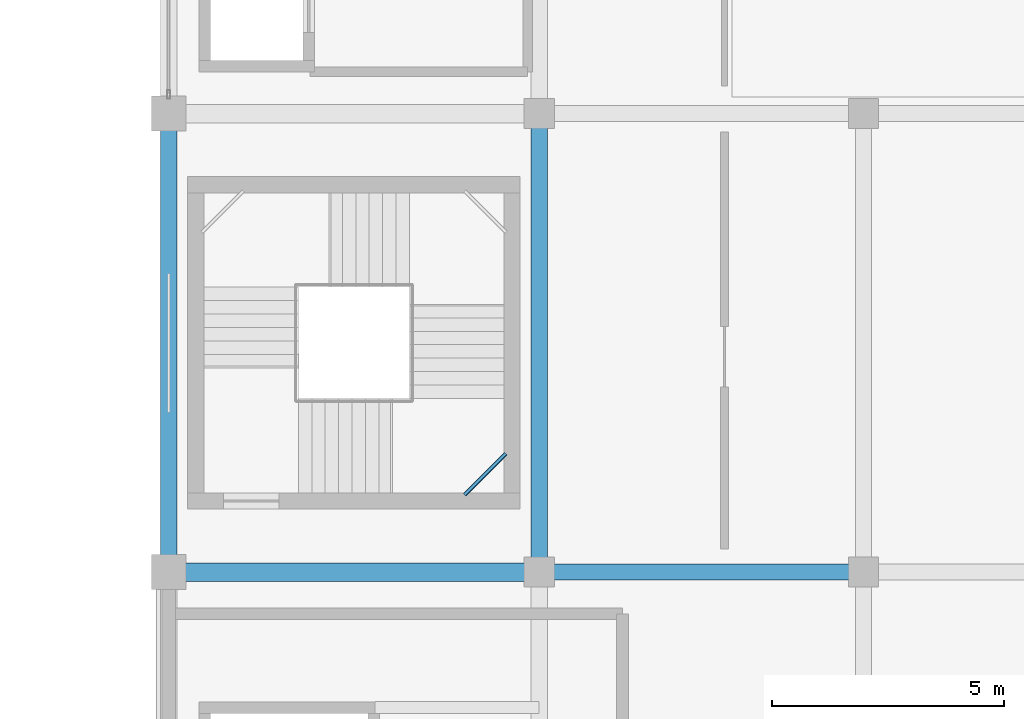
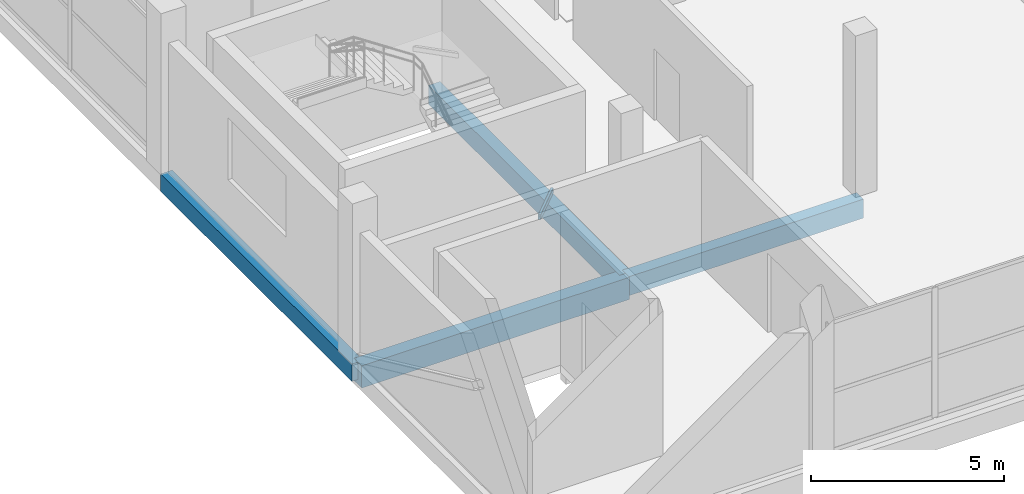
# One storey, part 3 of 67: 5 beams.
"""IFC4 building model written with IfcOpenShell, lengths in metres."""

from ifc_helpers import new_model, si_unit, direction, frame, origin, origin_2d, place, context, subcontext, project, spatial, rectangle, hollow_rectangle, extrude, material, material_profile, profile_set, type_object, element, save


model = new_model("IFC4")

# Units and contexts
model_context = context("Model", 3, precision=1e-05, world=origin(), true_north=direction((0.0, 1.0)))
body_context = subcontext(model_context, "Body", "Model", "MODEL_VIEW")
ifc_project = project(units=[si_unit("LENGTHUNIT", "METRE"), si_unit("AREAUNIT", "SQUARE_METRE"), si_unit("VOLUMEUNIT", "CUBIC_METRE"), si_unit("PLANEANGLEUNIT", "RADIAN"), si_unit("MASSUNIT", "GRAM", prefix="KILO")], contexts=[model_context])

# Site, building, storey
site_placement = place(None, origin())
site = spatial("IfcSite", under=ifc_project, at=site_placement, CompositionType="ELEMENT")
building_placement = place(site_placement, origin())
building = spatial("IfcBuilding", under=site, at=building_placement, Name="Sillaruma Civic Art Gallery", CompositionType="ELEMENT")
storey_placement = place(building_placement, frame((0.0, 0.0, 46.919921875)))
storey = spatial("IfcBuildingStorey", under=building, at=storey_placement, Name="L09", CompositionType="ELEMENT", Elevation=46.919921875)

# Beams
ifc_material_1 = material(Name="Concrete H35 (35 MPa)", Category="concrete")
ifc_material_profile_1 = material_profile(ifc_material_1, rectangle(XDim=0.35009765625, YDim=0.60009765625, at=origin_2d()), Name="RCB350x600")
ifc_profile_set_1 = profile_set([ifc_material_profile_1], Name="Concrete H35 (35 MPa)")
beam_type_1 = type_object("IfcBeamType", Name="BM-BEAM-RCB350x600", PredefinedType="BEAM", material=ifc_profile_set_1)
beam_1_placement = place(storey_placement, frame((70.0, 29.699951171875, -0.5498046875), z_axis=(1.0, 0.0, 0.0), x_axis=(0.0, 1.0, 0.0)))
element("IfcBeam", 1, at=beam_1_placement, inside=storey, type_object=beam_type_1, Name="Beam BM-06 (L08:4:G-H)", PredefinedType="BEAM", context=body_context, shape_type="SweptSolid", body=[
    extrude(rectangle(XDim=0.35009765625, YDim=0.60009765625, at=origin_2d()), origin(), (0.0, 0.0, 1.0), 7.0),
])
beam_2_placement = place(storey_placement, frame((70.0, 29.699951171875, -0.5498046875), z_axis=(0.0, 1.0, 0.0), x_axis=(-1.0, 0.0, 0.0)))
element("IfcBeam", 2, at=beam_2_placement, inside=storey, type_object=beam_type_1, Name="Beam BM-06 (L08:G:4-5)", PredefinedType="BEAM", context=body_context, shape_type="SweptSolid", body=[
    extrude(rectangle(XDim=0.35009765625, YDim=0.60009765625, at=origin_2d()), origin(), (0.0, 0.0, 1.0), 9.900146484375),
])
ifc_material_profile_2 = material_profile(ifc_material_1, rectangle(XDim=0.39990234375, YDim=0.699951171875, at=origin_2d()), Name="RCB400x700")
ifc_profile_set_2 = profile_set([ifc_material_profile_2], Name="Concrete H35 (35 MPa)")
beam_type_2 = type_object("IfcBeamType", Name="BM-BEAM-RCB400x700", PredefinedType="BEAM", material=ifc_profile_set_2)
beam_3_placement = place(storey_placement, frame((62.0, 29.699951171875, -0.599853515625), z_axis=(1.0, 0.0, 0.0), x_axis=(0.0, 1.0, 0.0)))
element("IfcBeam", 3, at=beam_3_placement, inside=storey, type_object=beam_type_2, Name="Beam BM-04 (L08:4:F-G)", PredefinedType="BEAM", context=body_context, shape_type="SweptSolid", body=[
    extrude(rectangle(XDim=0.39990234375, YDim=0.699951171875, at=origin_2d()), origin(), (0.0, 0.0, 1.0), 8.0),
])
ifc_material_2 = material(Name="Structural Steel ASTM A500 Gr.C", Category="steel")
ifc_material_profile_3 = material_profile(ifc_material_2, hollow_rectangle(XDim=0.080078125, YDim=0.159912109375, WallThickness=0.008056640625, InnerFilletRadius=0.008056640625, OuterFilletRadius=0.01611328125, at=origin_2d()), Name="HSS160x80x8")
ifc_profile_set_3 = profile_set([ifc_material_profile_3], Name="Structural Steel ASTM A500 Gr.C")
beam_type_3 = type_object("IfcBeamType", Name="BM-LND-HSS160", PredefinedType="BEAM", material=ifc_profile_set_3)
beam_4_placement = place(storey_placement, frame((68.389892578125, 31.3701171875, 1.080078125), z_axis=(0.707203758046, 0.707009791025, 0.0), x_axis=(-0.707009791025, 0.707203758046, 0.0)))
element("IfcBeam", 4, at=beam_4_placement, inside=storey, type_object=beam_type_3, Name="Stair Corner Landing Trimmer Beam (ST-03-L09-1)", PredefinedType="BEAM", context=body_context, shape_type="SweptSolid", body=[
    extrude(hollow_rectangle(XDim=0.080078125, YDim=0.159912109375, WallThickness=0.008056640625, InnerFilletRadius=0.008056640625, OuterFilletRadius=0.01611328125, at=origin_2d()), origin(), (0.0, 0.0, 1.0), 1.2587890625),
])
ifc_material_profile_4 = material_profile(ifc_material_1, rectangle(XDim=0.35009765625, YDim=0.550048828125, at=origin_2d()), Name="RCB350x550")
ifc_profile_set_4 = profile_set([ifc_material_profile_4], Name="Concrete H35 (35 MPa)")
beam_type_4 = type_object("IfcBeamType", Name="BM-SPANDREL-RCB350x550", PredefinedType="SPANDREL", material=ifc_profile_set_4)
beam_5_placement = place(storey_placement, frame((62.0, 29.699951171875, -0.52490234375), z_axis=(0.0, 1.0, 0.0), x_axis=(-1.0, 0.0, 0.0)))
element("IfcBeam", 5, at=beam_5_placement, inside=storey, type_object=beam_type_4, Name="Beam BS-04 (L08:F:4-5)", PredefinedType="SPANDREL", context=body_context, shape_type="SweptSolid", body=[
    extrude(rectangle(XDim=0.35009765625, YDim=0.550048828125, at=origin_2d()), origin(), (0.0, 0.0, 1.0), 9.900146484375),
])

save(model, "model.ifc")
